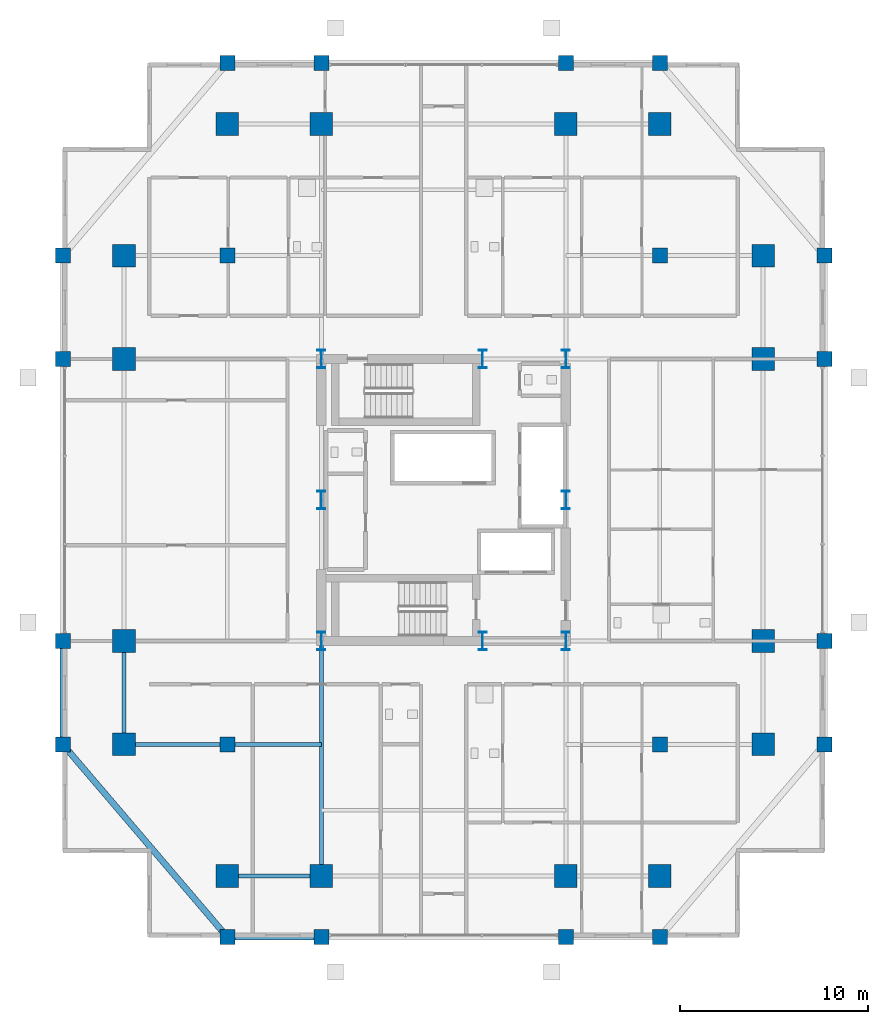
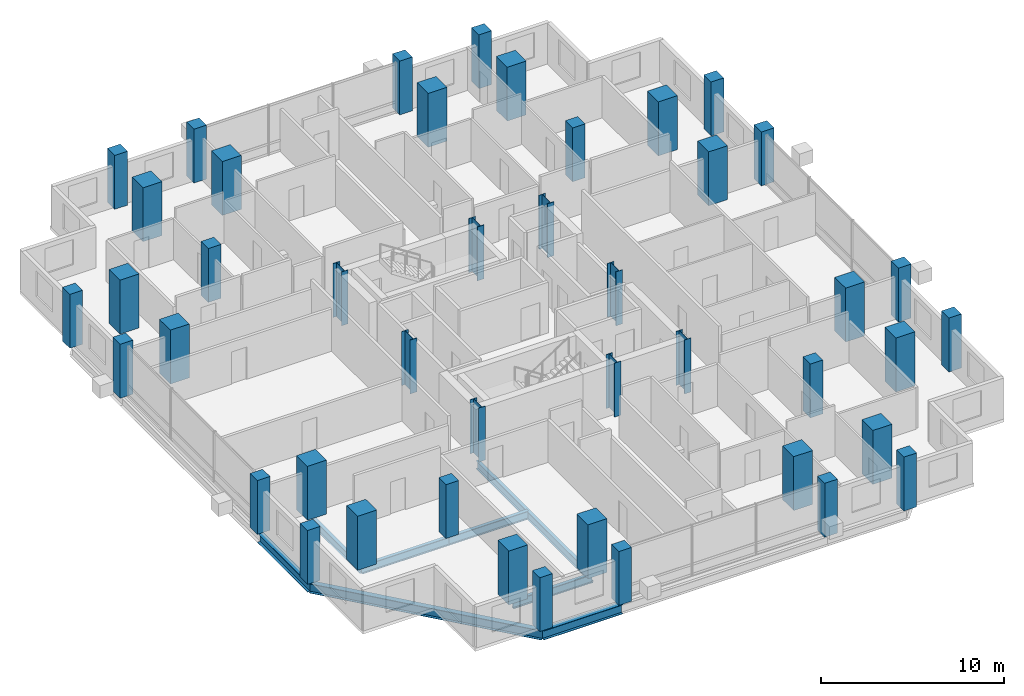
# One storey, part 1 of 20: 44 columns, 8 beams.
"""IFC4 building model written with IfcOpenShell, lengths in metres."""

from ifc_helpers import new_model, si_unit, direction, frame, origin, origin_2d, place, context, subcontext, project, spatial, rectangle, i_section, extrude, material, material_profile, profile_set, type_object, element, save


model = new_model("IFC4")

# Units and contexts
model_context = context("Model", 3, precision=1e-05, world=origin(), true_north=direction((0.0, 1.0)))
body_context = subcontext(model_context, "Body", "Model", "MODEL_VIEW")
ifc_project = project(units=[si_unit("LENGTHUNIT", "METRE"), si_unit("AREAUNIT", "SQUARE_METRE"), si_unit("VOLUMEUNIT", "CUBIC_METRE"), si_unit("PLANEANGLEUNIT", "RADIAN"), si_unit("MASSUNIT", "GRAM", prefix="KILO")], contexts=[model_context])

# Site, building, storey
site_placement = place(None, origin())
site = spatial("IfcSite", under=ifc_project, at=site_placement, CompositionType="ELEMENT")
building_placement = place(site_placement, origin())
building = spatial("IfcBuilding", under=site, at=building_placement, Name="Barlavira Tower and Art Museum", CompositionType="ELEMENT")
storey_placement = place(building_placement, frame((0.0, 0.0, 147.60009765625)))
storey = spatial("IfcBuildingStorey", under=building, at=storey_placement, Name="L37", CompositionType="ELEMENT", Elevation=147.60009765625)

# Columns
ifc_material_1 = material(Name="Steel S355", Category="steel")
ifc_material_profile_1 = material_profile(ifc_material_1, i_section(OverallWidth=0.419921875, OverallDepth=0.9599609375, WebThickness=0.02197265625, FlangeThickness=0.033935546875, at=origin_2d()), Name="W920x387.0")
ifc_profile_set_1 = profile_set([ifc_material_profile_1], Name="Steel S355")
column_type_1 = type_object("IfcColumnType", Name="Core Composite Column W920x387 Steel S355", PredefinedType="COLUMN", material=ifc_profile_set_1)
for number, where, z_axis, x_axis, name in (
    (1, (-6.5, -7.5, 0.0), (0.0, 0.0, 1.0), (1.0, 0.0, 0.0), "L37 Column CC-L37-C1"),
    (2, (2.080078125, -7.5, 0.0), (0.0, 0.0, 1.0), (1.0, 0.0, 0.0), "L37 Column CC-L37-C2"),
    (3, (6.5, -7.5, 0.0), (0.0, 0.0, 1.0), (1.0, 0.0, 0.0), "L37 Column CC-L37-C3"),
    (4, (-6.5, 0.0, 0.0), (0.0, 0.0, 1.0), (1.0, 0.0, 0.0), "L37 Column CC-L37-C4"),
    (5, (6.5, 0.0, 0.0), (0.0, 0.0, 1.0), (1.0, 0.0, 0.0), "L37 Column CC-L37-C5"),
    (6, (-6.5, 7.5, 0.0), (0.0, 0.0, 1.0), (1.0, 0.0, 0.0), "L37 Column CC-L37-C6"),
    (7, (2.080078125, 7.5, 0.0), (0.0, 0.0, 1.0), (1.0, 0.0, 0.0), "L37 Column CC-L37-C7"),
    (8, (6.5, 7.5, 0.0), (0.0, 0.0, 1.0), (1.0, 0.0, 0.0), "L37 Column CC-L37-C8"),
):
    element("IfcColumn", number, at=place(storey_placement, frame(where, z_axis=z_axis, x_axis=x_axis)), inside=storey, type_object=column_type_1, Name=name, PredefinedType="COLUMN", context=body_context, shape_type="SweptSolid", body=[
        extrude(i_section(OverallWidth=0.419921875, OverallDepth=0.9599609375, WebThickness=0.02197265625, FlangeThickness=0.033935546875, at=origin_2d()), origin(), (0.0, 0.0, 1.0), 3.599853515625),
    ])
ifc_material_2 = material(Name="Concrete C60", Category="concrete")
ifc_material_profile_2 = material_profile(ifc_material_2, rectangle(XDim=1.199951171875, YDim=1.199951171875, at=origin_2d()), Name="RC-COL 1200x1200")
ifc_profile_set_2 = profile_set([ifc_material_profile_2], Name="Concrete C60")
column_type_2 = type_object("IfcColumnType", Name="Perimeter Mega Column 1200x1200 Concrete C60", PredefinedType="USERDEFINED", material=ifc_profile_set_2)
for number, where, z_axis, x_axis, name in (
    (9, (-11.5, -20.0, 0.0), (0.0, 0.0, 1.0), (1.0, 0.0, 0.0), "L37 Column MC-L37-M01"),
    (10, (-6.5, -20.0, 0.0), (0.0, 0.0, 1.0), (1.0, 0.0, 0.0), "L37 Column MC-L37-M02"),
    (11, (6.5, -20.0, 0.0), (0.0, 0.0, 1.0), (1.0, 0.0, 0.0), "L37 Column MC-L37-M03"),
    (12, (11.5, -20.0, 0.0), (0.0, 0.0, 1.0), (1.0, 0.0, 0.0), "L37 Column MC-L37-M04"),
    (13, (17.0, -13.0, 0.0), (0.0, 0.0, 1.0), (1.0, 0.0, 0.0), "L37 Column MC-L37-M05"),
    (14, (17.0, -7.5, 0.0), (0.0, 0.0, 1.0), (1.0, 0.0, 0.0), "L37 Column MC-L37-M06"),
    (15, (17.0, 7.5, 0.0), (0.0, 0.0, 1.0), (1.0, 0.0, 0.0), "L37 Column MC-L37-M07"),
    (16, (17.0, 13.0, 0.0), (0.0, 0.0, 1.0), (1.0, 0.0, 0.0), "L37 Column MC-L37-M08"),
    (17, (11.5, 20.0, 0.0), (0.0, 0.0, 1.0), (1.0, 0.0, 0.0), "L37 Column MC-L37-M09"),
    (18, (6.5, 20.0, 0.0), (0.0, 0.0, 1.0), (1.0, 0.0, 0.0), "L37 Column MC-L37-M10"),
    (19, (-6.5, 20.0, 0.0), (0.0, 0.0, 1.0), (1.0, 0.0, 0.0), "L37 Column MC-L37-M11"),
    (20, (-11.5, 20.0, 0.0), (0.0, 0.0, 1.0), (1.0, 0.0, 0.0), "L37 Column MC-L37-M12"),
    (21, (-17.0, 13.0, 0.0), (0.0, 0.0, 1.0), (1.0, 0.0, 0.0), "L37 Column MC-L37-M13"),
    (22, (-17.0, 7.5, 0.0), (0.0, 0.0, 1.0), (1.0, 0.0, 0.0), "L37 Column MC-L37-M14"),
    (23, (-17.0, -7.5, 0.0), (0.0, 0.0, 1.0), (1.0, 0.0, 0.0), "L37 Column MC-L37-M15"),
    (24, (-17.0, -13.0, 0.0), (0.0, 0.0, 1.0), (1.0, 0.0, 0.0), "L37 Column MC-L37-M16"),
):
    element("IfcColumn", number, at=place(storey_placement, frame(where, z_axis=z_axis, x_axis=x_axis)), inside=storey, type_object=column_type_2, Name=name, ObjectType="MEGA COLUMN", PredefinedType="USERDEFINED", context=body_context, shape_type="SweptSolid", body=[
        extrude(rectangle(XDim=1.199951171875, YDim=1.199951171875, at=origin_2d()), origin(), (0.0, 0.0, 1.0), 3.599853515625),
    ])
ifc_material_3 = material(Name="Concrete C50", Category="concrete")
ifc_material_profile_3 = material_profile(ifc_material_3, rectangle(XDim=0.800048828125, YDim=0.800048828125, at=origin_2d()), Name="RC-COL 800x800")
ifc_profile_set_3 = profile_set([ifc_material_profile_3], Name="Concrete C50")
column_type_3 = type_object("IfcColumnType", Name="Podium Frame Column 800x800 Concrete C50", PredefinedType="COLUMN", material=ifc_profile_set_3)
for number, where, z_axis, x_axis, name in (
    (25, (-11.5, -13.0, 0.0), (0.0, 0.0, 1.0), (1.0, 0.0, 0.0), "L37 Column CI-L37-I1"),
    (26, (11.5, -13.0, 0.0), (0.0, 0.0, 1.0), (1.0, 0.0, 0.0), "L37 Column CI-L37-I2"),
    (27, (-11.5, 13.0, 0.0), (0.0, 0.0, 1.0), (1.0, 0.0, 0.0), "L37 Column CI-L37-I3"),
    (28, (11.5, 13.0, 0.0), (0.0, 0.0, 1.0), (1.0, 0.0, 0.0), "L37 Column CI-L37-I4"),
    (29, (-11.5, -23.25, 0.0), (0.0, 0.0, 1.0), (1.0, 0.0, 0.0), "L37 Column CZ2-L37-N01"),
    (30, (-6.5, -23.25, 0.0), (0.0, 0.0, 1.0), (1.0, 0.0, 0.0), "L37 Column CZ2-L37-N02"),
    (31, (6.5, -23.25, 0.0), (0.0, 0.0, 1.0), (1.0, 0.0, 0.0), "L37 Column CZ2-L37-N02B"),
    (32, (11.5, -23.25, 0.0), (0.0, 0.0, 1.0), (1.0, 0.0, 0.0), "L37 Column CZ2-L37-N03"),
    (33, (-20.25, -13.0, 0.0), (0.0, 0.0, 1.0), (1.0, 0.0, 0.0), "L37 Column CZ2-L37-N04"),
    (34, (-20.25, -7.5, 0.0), (0.0, 0.0, 1.0), (1.0, 0.0, 0.0), "L37 Column CZ2-L37-N05"),
    (35, (-20.25, 7.5, 0.0), (0.0, 0.0, 1.0), (1.0, 0.0, 0.0), "L37 Column CZ2-L37-N05B"),
    (36, (-20.25, 13.0, 0.0), (0.0, 0.0, 1.0), (1.0, 0.0, 0.0), "L37 Column CZ2-L37-N06"),
    (37, (-11.5, 23.25, 0.0), (0.0, 0.0, 1.0), (1.0, 0.0, 0.0), "L37 Column CZ2-L37-N07"),
    (38, (-6.5, 23.25, 0.0), (0.0, 0.0, 1.0), (1.0, 0.0, 0.0), "L37 Column CZ2-L37-N08"),
    (39, (6.5, 23.25, 0.0), (0.0, 0.0, 1.0), (1.0, 0.0, 0.0), "L37 Column CZ2-L37-N08B"),
    (40, (11.5, 23.25, 0.0), (0.0, 0.0, 1.0), (1.0, 0.0, 0.0), "L37 Column CZ2-L37-N09"),
    (41, (20.25, -13.0, 0.0), (0.0, 0.0, 1.0), (1.0, 0.0, 0.0), "L37 Column CZ2-L37-N10"),
    (42, (20.25, -7.5, 0.0), (0.0, 0.0, 1.0), (1.0, 0.0, 0.0), "L37 Column CZ2-L37-N11"),
    (43, (20.25, 7.5, 0.0), (0.0, 0.0, 1.0), (1.0, 0.0, 0.0), "L37 Column CZ2-L37-N11B"),
    (44, (20.25, 13.0, 0.0), (0.0, 0.0, 1.0), (1.0, 0.0, 0.0), "L37 Column CZ2-L37-N12"),
):
    element("IfcColumn", number, at=place(storey_placement, frame(where, z_axis=z_axis, x_axis=x_axis)), inside=storey, type_object=column_type_3, Name=name, PredefinedType="COLUMN", context=body_context, shape_type="SweptSolid", body=[
        extrude(rectangle(XDim=0.800048828125, YDim=0.800048828125, at=origin_2d()), origin(), (0.0, 0.0, 1.0), 3.599853515625),
    ])

# Beams
ifc_material_profile_4 = material_profile(ifc_material_1, i_section(OverallWidth=0.327880859375, OverallDepth=0.62890625, WebThickness=0.013916015625, FlangeThickness=0.021484375, at=origin_2d()), Name="W610x174.0")
ifc_profile_set_4 = profile_set([ifc_material_profile_4], Name="Steel S355")
beam_type_1 = type_object("IfcBeamType", Name="Perimeter Spandrel Edge Beam W610x174 Steel S355", PredefinedType="SPANDREL", material=ifc_profile_set_4)
beam_1_placement = place(storey_placement, frame((-11.5, -23.25, -0.53466796875), z_axis=(1.0, 0.0, 0.0), x_axis=(0.0, 1.0, 0.0)))
element("IfcBeam", 45, at=beam_1_placement, inside=storey, type_object=beam_type_1, Name="L37 Spandrel 1", PredefinedType="SPANDREL", context=body_context, shape_type="SweptSolid", body=[
    extrude(i_section(OverallWidth=0.327880859375, OverallDepth=0.62890625, WebThickness=0.013916015625, FlangeThickness=0.021484375, at=origin_2d()), origin(), (0.0, 0.0, 1.0), 5.0),
])
beam_2_placement = place(storey_placement, frame((-20.25, -13.0, -0.53466796875), z_axis=(0.0, 1.0, 0.0), x_axis=(-1.0, 0.0, 0.0)))
element("IfcBeam", 46, at=beam_2_placement, inside=storey, type_object=beam_type_1, Name="L37 Spandrel 15", PredefinedType="SPANDREL", context=body_context, shape_type="SweptSolid", body=[
    extrude(i_section(OverallWidth=0.327880859375, OverallDepth=0.62890625, WebThickness=0.013916015625, FlangeThickness=0.021484375, at=origin_2d()), origin(), (0.0, 0.0, 1.0), 5.5),
])
beam_3_placement = place(storey_placement, frame((-20.25, -13.0, -0.53466796875), z_axis=(0.649262379928, -0.760564502202, 0.0), x_axis=(0.760564502202, 0.649262379928, 0.0)))
element("IfcBeam", 47, at=beam_3_placement, inside=storey, type_object=beam_type_1, Name="L37 Spandrel 16", PredefinedType="SPANDREL", context=body_context, shape_type="SweptSolid", body=[
    extrude(i_section(OverallWidth=0.327880859375, OverallDepth=0.62890625, WebThickness=0.013916015625, FlangeThickness=0.021484375, at=origin_2d()), origin(), (0.0, 0.0, 1.0), 13.476806640625),
])
ifc_material_profile_5 = material_profile(ifc_material_1, i_section(OverallWidth=0.214111328125, OverallDepth=0.549072265625, WebThickness=0.0146484375, FlangeThickness=0.023681640625, at=origin_2d()), Name="W530x138.0")
ifc_profile_set_5 = profile_set([ifc_material_profile_5], Name="Steel S355")
beam_type_2 = type_object("IfcBeamType", Name="Zone 1 Primary Floor Girder W530x138 Steel S355", PredefinedType="BEAM", material=ifc_profile_set_5)
beam_4_placement = place(storey_placement, frame((-11.5, -20.0, -0.49462890625), z_axis=(1.0, 0.0, 0.0), x_axis=(0.0, 1.0, 0.0)))
element("IfcBeam", 48, at=beam_4_placement, inside=storey, type_object=beam_type_2, Name="L37 Girder M-S1", PredefinedType="BEAM", context=body_context, shape_type="SweptSolid", body=[
    extrude(i_section(OverallWidth=0.214111328125, OverallDepth=0.549072265625, WebThickness=0.0146484375, FlangeThickness=0.023681640625, at=origin_2d()), origin(), (0.0, 0.0, 1.0), 5.0),
])
beam_5_placement = place(storey_placement, frame((-17.0, -13.0, -0.49462890625), z_axis=(0.0, 1.0, 0.0), x_axis=(-1.0, 0.0, 0.0)))
element("IfcBeam", 49, at=beam_5_placement, inside=storey, type_object=beam_type_2, Name="L37 Girder M-W1", PredefinedType="BEAM", context=body_context, shape_type="SweptSolid", body=[
    extrude(i_section(OverallWidth=0.214111328125, OverallDepth=0.549072265625, WebThickness=0.0146484375, FlangeThickness=0.023681640625, at=origin_2d()), origin(), (0.0, 0.0, 1.0), 5.5),
])
beam_6_placement = place(storey_placement, frame((-6.5, -20.0, -0.49462890625), z_axis=(0.0, 1.0, 0.0), x_axis=(-1.0, 0.0, 0.0)))
element("IfcBeam", 50, at=beam_6_placement, inside=storey, type_object=beam_type_2, Name="L37 Girder R-S1", PredefinedType="BEAM", context=body_context, shape_type="SweptSolid", body=[
    extrude(i_section(OverallWidth=0.214111328125, OverallDepth=0.549072265625, WebThickness=0.0146484375, FlangeThickness=0.023681640625, at=origin_2d()), origin(), (0.0, 0.0, 1.0), 12.5),
])
beam_7_placement = place(storey_placement, frame((-17.0, -13.0, -0.49462890625), z_axis=(1.0, 0.0, 0.0), x_axis=(0.0, 1.0, 0.0)))
element("IfcBeam", 51, at=beam_7_placement, inside=storey, type_object=beam_type_2, Name="L37 Girder I-S1", PredefinedType="BEAM", context=body_context, shape_type="SweptSolid", body=[
    extrude(i_section(OverallWidth=0.214111328125, OverallDepth=0.549072265625, WebThickness=0.0146484375, FlangeThickness=0.023681640625, at=origin_2d()), origin(), (0.0, 0.0, 1.0), 5.5),
])
beam_8_placement = place(storey_placement, frame((-11.5, -13.0, -0.49462890625), z_axis=(1.0, 0.0, 0.0), x_axis=(0.0, 1.0, 0.0)))
element("IfcBeam", 52, at=beam_8_placement, inside=storey, type_object=beam_type_2, Name="L37 Girder I-S2", PredefinedType="BEAM", context=body_context, shape_type="SweptSolid", body=[
    extrude(i_section(OverallWidth=0.214111328125, OverallDepth=0.549072265625, WebThickness=0.0146484375, FlangeThickness=0.023681640625, at=origin_2d()), origin(), (0.0, 0.0, 1.0), 5.0),
])

save(model, "model.ifc")
